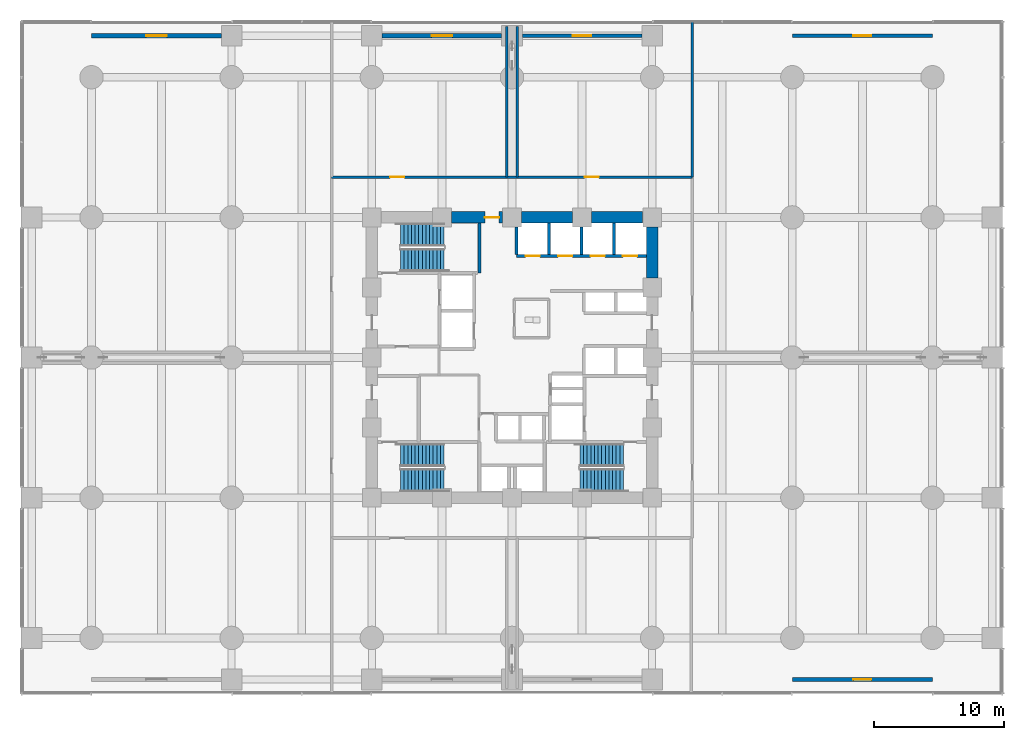
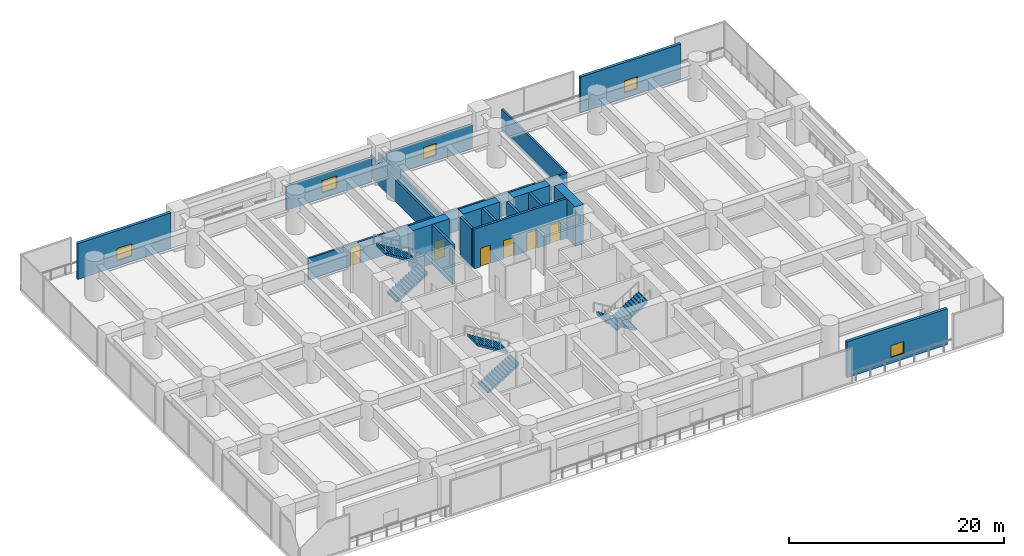
# One storey, part 31 of 37: 19 walls, 7 doors, 6 stair flights, 5 windows, 12 openings, 3 elements without a shape of their own.
"""IFC4 building model written with IfcOpenShell, lengths in metres."""

from ifc_helpers import new_model, si_unit, direction, frame, frame_2d, origin, place, context, subcontext, project, spatial, polyline, rectangle, outline, extrude, material, layer, layer_set, type_object, element, fill, aggregate, save


model = new_model("IFC4")

# Units and contexts
model_context = context("Model", 3, precision=1e-05, world=origin(), true_north=direction((0.0, 1.0)))
body_context = subcontext(model_context, "Body", "Model", "MODEL_VIEW")
ifc_project = project(units=[si_unit("LENGTHUNIT", "METRE"), si_unit("AREAUNIT", "SQUARE_METRE"), si_unit("VOLUMEUNIT", "CUBIC_METRE"), si_unit("PLANEANGLEUNIT", "RADIAN"), si_unit("MASSUNIT", "GRAM", prefix="KILO")], contexts=[model_context])

# Site, building, storey
site_placement = place(None, origin())
site = spatial("IfcSite", under=ifc_project, at=site_placement, CompositionType="ELEMENT")
building_placement = place(site_placement, origin())
building = spatial("IfcBuilding", under=site, at=building_placement, Name="Surkhivell Harbour Commons", CompositionType="ELEMENT")
storey_placement = place(building_placement, frame((0.0, 0.0, 18.0)))
storey = spatial("IfcBuildingStorey", under=building, at=storey_placement, Name="L04", CompositionType="ELEMENT", Elevation=18.0)

# Wall, opening, door
ifc_material_1 = material(Name="Concrete C80/95", Category="concrete")
ifc_layer_1 = layer(ifc_material_1, 0.89990234375)
ifc_layer_set_1 = layer_set([ifc_layer_1], Name="Concrete C80/95")
wall_type_1 = type_object("IfcWallType", Name="WAL-CORE-900", PredefinedType="SHEAR", material=ifc_layer_set_1)
wall_1_placement = place(storey_placement, frame((-4.6650390625, 10.800048828125, 0.0), z_axis=(0.0, 0.0, 1.0), x_axis=(1.0, 0.0, 0.0)))
wall_1 = element("IfcWall", 1, at=wall_1_placement, inside=storey, type_object=wall_type_1, Name="L04 Core Shear Wall North 2", PredefinedType="SHEAR", context=body_context, shape_type="SweptSolid", body=[
    extrude(rectangle(XDim=3.929931640625, YDim=0.89990234375, at=frame_2d((1.96484375, 0.0))), origin(), (0.0, 0.0, 1.0), 4.5),
])
opening_1_placement = place(wall_1_placement, frame((2.580078125, 0.0, 0.0)))
opening_1 = element("IfcOpeningElement", 2, at=opening_1_placement, cuts=wall_1, Name="Opening ID-2", PredefinedType="OPENING", context=body_context, shape_type="SweptSolid", body=[
    extrude(rectangle(XDim=1.10009765625, YDim=2.10009765625, at=frame_2d((0.550048828125, 1.050048828125))), frame((0.0, 0.4599609375, 0.0), z_axis=(0.0, -1.0, 0.0), x_axis=(1.0, 0.0, 0.0)), (0.0, 0.0, 1.0), 0.919921875),
])
ifc_material_2 = material(Name="Hardwood-veneered fire-rated door leaf", Category="wood")
door_type_1 = type_object("IfcDoorType", Name="DOR-FD60-1100", OperationType="NOTDEFINED", PredefinedType="DOOR", material=ifc_material_2)
door_1_placement = place(opening_1_placement, origin())
door_1 = element("IfcDoor", 3, at=door_1_placement, inside=storey, type_object=door_type_1, Name="L04 Central Core Lift Hall North Corridor Door", OperationType="SINGLE_SWING_LEFT", OverallHeight=2.10009765625, OverallWidth=1.10009765625, PredefinedType="DOOR", context=body_context, shape_type="SweptSolid", body=[
    extrude(rectangle(XDim=1.10009765625, YDim=2.10009765625, at=frame_2d((0.550048828125, 1.050048828125))), frame((0.0, 0.02490234375, 0.0), z_axis=(0.0, -1.0, 0.0), x_axis=(1.0, 0.0, 0.0)), (0.0, 0.0, 1.0), 0.050048828125),
])
fill(opening_1, door_1)

# Walls
for number, where, z_axis, x_axis, name in (
    (4, (0.735107421875, 10.800048828125, 0.0), (0.0, 0.0, 1.0), (1.0, 0.0, 0.0), "L04 Core Shear Wall North 3"),
    (5, (6.135009765625, 10.800048828125, 0.0), (0.0, 0.0, 1.0), (1.0, 0.0, 0.0), "L04 Core Shear Wall North 4"),
    (6, (10.800048828125, 6.135009765625, 0.0), (0.0, 0.0, 1.0), (0.0, 1.0, 0.0), "L04 Core Shear Wall East 4"),
):
    element("IfcWall", number, at=place(storey_placement, frame(where, z_axis=z_axis, x_axis=x_axis)), inside=storey, type_object=wall_type_1, Name=name, PredefinedType="SHEAR", context=body_context, shape_type="SweptSolid", body=[
        extrude(rectangle(XDim=3.929931640625, YDim=0.89990234375, at=frame_2d((1.96484375, 0.0))), origin(), (0.0, 0.0, 1.0), 4.5),
    ])

# Wall, opening, window
ifc_material_3 = material(Name="Flemish-bond kiln brick and precast concrete C45/55", Category="masonry")
ifc_layer_2 = layer(ifc_material_3, 0.300048828125)
ifc_layer_set_2 = layer_set([ifc_layer_2], Name="Flemish-bond kiln brick and precast concrete C45/55")
wall_type_2 = type_object("IfcWallType", Name="WAL-EXT-BRK300", PredefinedType="STANDARD", material=ifc_layer_set_2)
wall_2_placement = place(storey_placement, frame((0.798095703125, 24.800048828125, 0.0), z_axis=(0.0, 0.0, 1.0), x_axis=(1.0, 0.0, 0.0)))
wall_2 = element("IfcWall", 7, at=wall_2_placement, inside=storey, type_object=wall_type_2, Name="L04 Podium Brick Facade Wall N5", PredefinedType="STANDARD", context=body_context, shape_type="SweptSolid", body=[
    extrude(rectangle(XDim=9.203857421875, YDim=0.300048828125, at=frame_2d((4.60205078125, 0.0))), origin(), (0.0, 0.0, 1.0), 2.7099609375),
])
opening_2_placement = place(wall_2_placement, frame((3.902099609375, 0.0, 0.64990234375)))
opening_2 = element("IfcOpeningElement", 8, at=opening_2_placement, cuts=wall_2, Name="Opening WN-05", PredefinedType="OPENING", context=body_context, shape_type="SweptSolid", body=[
    extrude(rectangle(XDim=1.39990234375, YDim=1.35009765625, at=frame_2d((0.699951171875, 0.675048828125))), frame((0.0, 0.159912109375, 0.0), z_axis=(0.0, -1.0, 0.0), x_axis=(1.0, 0.0, 0.0)), (0.0, 0.0, 1.0), 0.320068359375),
])
ifc_material_4 = material(Name="Thermal-break aluminium frame and double low-E glazing", Category="aluminium")
window_type_1 = type_object("IfcWindowType", Name="WIN-POD-1400x1350", PartitioningType="SINGLE_PANEL", PredefinedType="WINDOW", material=ifc_material_4)
window_1_placement = place(opening_2_placement, origin())
window_1 = element("IfcWindow", 9, at=window_1_placement, inside=storey, type_object=window_type_1, Name="L04 Podium Punched Window N5", OverallHeight=1.35009765625, OverallWidth=1.39990234375, PartitioningType="SINGLE_PANEL", PredefinedType="WINDOW", context=body_context, shape_type="SweptSolid", body=[
    extrude(rectangle(XDim=1.39990234375, YDim=1.35009765625, at=frame_2d((0.699951171875, 0.675048828125))), frame((0.0, 0.030029296875, 0.0), z_axis=(0.0, -1.0, 0.0), x_axis=(1.0, 0.0, 0.0)), (0.0, 0.0, 1.0), 0.06005859375),
])
fill(opening_2, window_1)

wall_3_placement = place(storey_placement, frame((21.60009765625, 24.800048828125, 0.0), z_axis=(0.0, 0.0, 1.0), x_axis=(1.0, 0.0, 0.0)))
wall_3 = element("IfcWall", 10, at=wall_3_placement, inside=storey, type_object=wall_type_2, Name="L04 Podium Brick Facade Wall N7", PredefinedType="STANDARD", context=body_context, shape_type="SweptSolid", body=[
    extrude(rectangle(XDim=10.7998046875, YDim=0.300048828125, at=frame_2d((5.39990234375, 0.0))), origin(), (0.0, 0.0, 1.0), 4.080078125),
])
opening_3_placement = place(wall_3_placement, frame((4.699951171875, 0.0, 0.64990234375)))
opening_3 = element("IfcOpeningElement", 11, at=opening_3_placement, cuts=wall_3, Name="Opening WN-05", PredefinedType="OPENING", context=body_context, shape_type="SweptSolid", body=[
    extrude(rectangle(XDim=1.39990234375, YDim=1.35009765625, at=frame_2d((0.699951171875, 0.675048828125))), frame((0.0, 0.159912109375, 0.0), z_axis=(0.0, -1.0, 0.0), x_axis=(1.0, 0.0, 0.0)), (0.0, 0.0, 1.0), 0.320068359375),
])
window_2_placement = place(opening_3_placement, origin())
window_2 = element("IfcWindow", 12, at=window_2_placement, inside=storey, type_object=window_type_1, Name="L04 Podium Punched Window N7", OverallHeight=1.35009765625, OverallWidth=1.39990234375, PartitioningType="SINGLE_PANEL", PredefinedType="WINDOW", context=body_context, shape_type="SweptSolid", body=[
    extrude(rectangle(XDim=1.39990234375, YDim=1.35009765625, at=frame_2d((0.699951171875, 0.675048828125))), frame((0.0, 0.030029296875, 0.0), z_axis=(0.0, -1.0, 0.0), x_axis=(1.0, 0.0, 0.0)), (0.0, 0.0, 1.0), 0.06005859375),
])
fill(opening_3, window_2)

wall_4_placement = place(storey_placement, frame((32.39990234375, -24.800048828125, 0.0), z_axis=(0.0, 0.0, 1.0), x_axis=(-1.0, 0.0, 0.0)))
wall_4 = element("IfcWall", 13, at=wall_4_placement, inside=storey, type_object=wall_type_2, Name="L04 Podium Brick Facade Wall S7", PredefinedType="STANDARD", context=body_context, shape_type="SweptSolid", body=[
    extrude(rectangle(XDim=10.7998046875, YDim=0.300048828125, at=frame_2d((5.39990234375, 0.0))), origin(), (0.0, 0.0, 1.0), 4.080078125),
])
opening_4_placement = place(wall_4_placement, frame((4.699951171875, 0.0, 0.64990234375)))
opening_4 = element("IfcOpeningElement", 14, at=opening_4_placement, cuts=wall_4, Name="Opening WN-05", PredefinedType="OPENING", context=body_context, shape_type="SweptSolid", body=[
    extrude(rectangle(XDim=1.39990234375, YDim=1.35009765625, at=frame_2d((0.699951171875, 0.675048828125))), frame((0.0, 0.159912109375, 0.0), z_axis=(0.0, -1.0, 0.0), x_axis=(1.0, 0.0, 0.0)), (0.0, 0.0, 1.0), 0.320068359375),
])
window_3_placement = place(opening_4_placement, origin())
window_3 = element("IfcWindow", 15, at=window_3_placement, inside=storey, type_object=window_type_1, Name="L04 Podium Punched Window S7", OverallHeight=1.35009765625, OverallWidth=1.39990234375, PartitioningType="SINGLE_PANEL", PredefinedType="WINDOW", context=body_context, shape_type="SweptSolid", body=[
    extrude(rectangle(XDim=1.39990234375, YDim=1.35009765625, at=frame_2d((0.699951171875, 0.675048828125))), frame((0.0, 0.030029296875, 0.0), z_axis=(0.0, -1.0, 0.0), x_axis=(1.0, 0.0, 0.0)), (0.0, 0.0, 1.0), 0.06005859375),
])
fill(opening_4, window_3)

ifc_material_5 = material(Name="Kiln-fired surkhi brick and precast concrete C45/55", Category="masonry")
ifc_layer_3 = layer(ifc_material_5, 0.320068359375)
ifc_layer_set_3 = layer_set([ifc_layer_3], Name="Kiln-fired surkhi brick and precast concrete C45/55")
wall_type_3 = type_object("IfcWallType", Name="WAL-EXT-BRK320", PredefinedType="STANDARD", material=ifc_layer_set_3)
wall_5_placement = place(storey_placement, frame((-32.39990234375, 24.800048828125, 0.0), z_axis=(0.0, 0.0, 1.0), x_axis=(1.0, 0.0, 0.0)))
wall_5 = element("IfcWall", 16, at=wall_5_placement, inside=storey, type_object=wall_type_3, Name="L04 Podium Brick Facade Wall N2", PredefinedType="STANDARD", context=body_context, shape_type="SweptSolid", body=[
    extrude(rectangle(XDim=10.001953125, YDim=0.320068359375, at=frame_2d((5.0009765625, 0.0))), origin(), (0.0, 0.0, 1.0), 4.080078125),
])
opening_5_placement = place(wall_5_placement, frame((4.200927734375, 0.0, 0.64990234375)))
opening_5 = element("IfcOpeningElement", 17, at=opening_5_placement, cuts=wall_5, Name="Opening WN-04", PredefinedType="OPENING", context=body_context, shape_type="SweptSolid", body=[
    extrude(rectangle(XDim=1.60009765625, YDim=1.39990234375, at=frame_2d((0.800048828125, 0.699951171875))), frame((0.0, 0.169921875, 0.0), z_axis=(0.0, -1.0, 0.0), x_axis=(1.0, 0.0, 0.0)), (0.0, 0.0, 1.0), 0.340087890625),
])
window_type_2 = type_object("IfcWindowType", Name="WIN-POD-1600x1400", PartitioningType="DOUBLE_PANEL_HORIZONTAL", PredefinedType="WINDOW", material=ifc_material_4)
window_4_placement = place(opening_5_placement, origin())
window_4 = element("IfcWindow", 18, at=window_4_placement, inside=storey, type_object=window_type_2, Name="L04 Podium Punched Window N2", OverallHeight=1.39990234375, OverallWidth=1.60009765625, PartitioningType="SINGLE_PANEL", PredefinedType="WINDOW", context=body_context, shape_type="SweptSolid", body=[
    extrude(rectangle(XDim=1.60009765625, YDim=1.39990234375, at=frame_2d((0.800048828125, 0.699951171875))), frame((0.0, 0.030029296875, 0.0), z_axis=(0.0, -1.0, 0.0), x_axis=(1.0, 0.0, 0.0)), (0.0, 0.0, 1.0), 0.06005859375),
])
fill(opening_5, window_4)

wall_6_placement = place(storey_placement, frame((-10.001953125, 24.800048828125, 0.0), z_axis=(0.0, 0.0, 1.0), x_axis=(1.0, 0.0, 0.0)))
wall_6 = element("IfcWall", 19, at=wall_6_placement, inside=storey, type_object=wall_type_3, Name="L04 Podium Brick Facade Wall N4", PredefinedType="STANDARD", context=body_context, shape_type="SweptSolid", body=[
    extrude(rectangle(XDim=9.203857421875, YDim=0.320068359375, at=frame_2d((4.60205078125, 0.0))), origin(), (0.0, 0.0, 1.0), 2.7099609375),
])
opening_6_placement = place(wall_6_placement, frame((3.802001953125, 0.0, 0.64990234375)))
opening_6 = element("IfcOpeningElement", 20, at=opening_6_placement, cuts=wall_6, Name="Opening WN-04", PredefinedType="OPENING", context=body_context, shape_type="SweptSolid", body=[
    extrude(rectangle(XDim=1.60009765625, YDim=1.39990234375, at=frame_2d((0.800048828125, 0.699951171875))), frame((0.0, 0.169921875, 0.0), z_axis=(0.0, -1.0, 0.0), x_axis=(1.0, 0.0, 0.0)), (0.0, 0.0, 1.0), 0.340087890625),
])
window_5_placement = place(opening_6_placement, origin())
window_5 = element("IfcWindow", 21, at=window_5_placement, inside=storey, type_object=window_type_2, Name="L04 Podium Punched Window N4", OverallHeight=1.39990234375, OverallWidth=1.60009765625, PartitioningType="SINGLE_PANEL", PredefinedType="WINDOW", context=body_context, shape_type="SweptSolid", body=[
    extrude(rectangle(XDim=1.60009765625, YDim=1.39990234375, at=frame_2d((0.800048828125, 0.699951171875))), frame((0.0, 0.030029296875, 0.0), z_axis=(0.0, -1.0, 0.0), x_axis=(1.0, 0.0, 0.0)), (0.0, 0.0, 1.0), 0.06005859375),
])
fill(opening_6, window_5)

# Walls
ifc_material_6 = material(Name="Autoclaved aerated concrete blockwork and fire plaster", Category="masonry")
ifc_layer_4 = layer(ifc_material_6, 0.199951171875)
ifc_layer_set_4 = layer_set([ifc_layer_4], Name="Autoclaved aerated concrete blockwork and fire plaster")
wall_type_4 = type_object("IfcWallType", Name="WAL-INT-200", PredefinedType="PARTITIONING", material=ifc_layer_set_4)
for number, where, z_axis, x_axis, name in (
    (22, (0.419921875, 13.89990234375, 0.0), (0.0, 0.0, 1.0), (0.0, 1.0, 0.0), "L04 Transfer Truss North Casing Wall"),
    (23, (-0.419921875, 13.89990234375, 0.0), (0.0, 0.0, 1.0), (0.0, 1.0, 0.0), "L04 Transfer Truss North Casing Wall"),
):
    element("IfcWall", number, at=place(storey_placement, frame(where, z_axis=z_axis, x_axis=x_axis)), inside=storey, type_object=wall_type_4, Name=name, PredefinedType="PARTITIONING", context=body_context, shape_type="SweptSolid", body=[
        extrude(rectangle(XDim=11.60009765625, YDim=0.199951171875, at=frame_2d((5.800048828125, 0.0))), origin(), (0.0, 0.0, 1.0), 2.4599609375),
    ])

# Wall, openings, doors
wall_7_placement = place(storey_placement, frame((-13.89990234375, 13.89990234375, 0.0), z_axis=(0.0, 0.0, 1.0), x_axis=(1.0, 0.0, 0.0)))
wall_7 = element("IfcWall", 24, at=wall_7_placement, inside=storey, type_object=wall_type_4, Name="L04 Corridor North Wall", PredefinedType="PARTITIONING", context=body_context, shape_type="SweptSolid", body=[
    extrude(rectangle(XDim=27.7998046875, YDim=0.199951171875, at=frame_2d((13.89990234375, 0.0))), origin(), (0.0, 0.0, 1.0), 2.4599609375),
])
opening_7_placement = place(wall_7_placement, frame((4.5, 0.0, 0.0)))
opening_7 = element("IfcOpeningElement", 25, at=opening_7_placement, cuts=wall_7, Name="Opening ID-2", PredefinedType="OPENING", context=body_context, shape_type="SweptSolid", body=[
    extrude(rectangle(XDim=1.10009765625, YDim=2.10009765625, at=frame_2d((0.550048828125, 1.050048828125))), frame((0.0, 0.10986328125, 0.0), z_axis=(0.0, -1.0, 0.0), x_axis=(1.0, 0.0, 0.0)), (0.0, 0.0, 1.0), 0.219970703125),
])
opening_8_placement = place(wall_7_placement, frame((19.5, 0.0, 0.0)))
opening_8 = element("IfcOpeningElement", 26, at=opening_8_placement, cuts=wall_7, Name="Opening ID-2", PredefinedType="OPENING", context=body_context, shape_type="SweptSolid", body=[
    extrude(rectangle(XDim=1.10009765625, YDim=2.10009765625, at=frame_2d((0.550048828125, 1.050048828125))), frame((0.0, 0.10986328125, 0.0), z_axis=(0.0, -1.0, 0.0), x_axis=(1.0, 0.0, 0.0)), (0.0, 0.0, 1.0), 0.219970703125),
])
door_2_placement = place(opening_7_placement, origin())
door_2 = element("IfcDoor", 27, at=door_2_placement, inside=storey, type_object=door_type_1, Name="L04 North-West Transfer AHU Plant Room Door", OperationType="SINGLE_SWING_RIGHT", OverallHeight=2.10009765625, OverallWidth=1.10009765625, PredefinedType="DOOR", context=body_context, shape_type="SweptSolid", body=[
    extrude(rectangle(XDim=1.10009765625, YDim=2.10009765625, at=frame_2d((0.550048828125, 1.050048828125))), frame((0.0, 0.02490234375, 0.0), z_axis=(0.0, -1.0, 0.0), x_axis=(1.0, 0.0, 0.0)), (0.0, 0.0, 1.0), 0.050048828125),
])
fill(opening_7, door_2)
door_3_placement = place(opening_8_placement, origin())
door_3 = element("IfcDoor", 28, at=door_3_placement, inside=storey, type_object=door_type_1, Name="L04 North-East Chiller Heat-Exchange Plant Room Door", OperationType="SINGLE_SWING_LEFT", OverallHeight=2.10009765625, OverallWidth=1.10009765625, PredefinedType="DOOR", context=body_context, shape_type="SweptSolid", body=[
    extrude(rectangle(XDim=1.10009765625, YDim=2.10009765625, at=frame_2d((0.550048828125, 1.050048828125))), frame((0.0, 0.02490234375, 0.0), z_axis=(0.0, -1.0, 0.0), x_axis=(1.0, 0.0, 0.0)), (0.0, 0.0, 1.0), 0.050048828125),
])
fill(opening_8, door_3)

# Walls
wall_8_placement = place(storey_placement, frame((13.89990234375, 13.89990234375, 0.0), z_axis=(0.0, 0.0, 1.0), x_axis=(0.0, 1.0, 0.0)))
element("IfcWall", 29, at=wall_8_placement, inside=storey, type_object=wall_type_4, Name="L04 Corner NE Divider", PredefinedType="PARTITIONING", context=body_context, shape_type="SweptSolid", body=[
    extrude(rectangle(XDim=11.960205078125, YDim=0.199951171875, at=frame_2d((5.97998046875, 0.0))), origin(), (0.0, 0.0, 1.0), 2.4599609375),
])
ifc_material_7 = material(Name="Concrete C50/60", Category="concrete")
ifc_layer_5 = layer(ifc_material_7, 0.25)
ifc_layer_set_5 = layer_set([ifc_layer_5], Name="Concrete C50/60")
wall_type_5 = type_object("IfcWallType", Name="WAL-SHAFT-250", PredefinedType="SHEAR", material=ifc_layer_set_5)
wall_9_placement = place(storey_placement, frame((2.85009765625, 7.93994140625, 0.0), z_axis=(0.0, 0.0, 1.0), x_axis=(0.0, 1.0, 0.0)))
element("IfcWall", 30, at=wall_9_placement, inside=storey, type_object=wall_type_5, Name="L04 Low-Rise Hoistway Wall", PredefinedType="SHEAR", context=body_context, shape_type="SweptSolid", body=[
    extrude(rectangle(XDim=2.41015625, YDim=0.25, at=frame_2d((1.205078125, 0.0))), origin(), (0.0, 0.0, 1.0), 4.5),
])
for number, where, z_axis, x_axis, name in (
    (31, (0.35009765625, 7.93994140625, 0.0), (0.0, 0.0, 1.0), (0.0, 1.0, 0.0), "L04 Low-Rise Hoistway Wall"),
    (32, (5.35009765625, 7.93994140625, 0.0), (0.0, 0.0, 1.0), (0.0, 1.0, 0.0), "L04 Low-Rise Hoistway Wall"),
):
    element("IfcWall", number, at=place(storey_placement, frame(where, z_axis=z_axis, x_axis=x_axis)), inside=storey, type_object=wall_type_5, Name=name, PredefinedType="SHEAR", context=body_context, shape_type="SweptSolid", body=[
        extrude(rectangle(XDim=2.135009765625, YDim=0.25, at=frame_2d((1.0673828125, 0.0))), origin(), (0.0, 0.0, 1.0), 4.5),
    ])
wall_10_placement = place(storey_placement, frame((7.85009765625, 7.93994140625, 0.0), z_axis=(0.0, 0.0, 1.0), x_axis=(0.0, 1.0, 0.0)))
element("IfcWall", 33, at=wall_10_placement, inside=storey, type_object=wall_type_5, Name="L04 Low-Rise Hoistway Wall", PredefinedType="SHEAR", context=body_context, shape_type="SweptSolid", body=[
    extrude(rectangle(XDim=2.41015625, YDim=0.25, at=frame_2d((1.205078125, 0.0))), origin(), (0.0, 0.0, 1.0), 4.5),
])

# Wall, openings, doors
wall_11_placement = place(storey_placement, frame((0.35009765625, 7.820068359375, 0.0), z_axis=(0.0, 0.0, 1.0), x_axis=(1.0, 0.0, 0.0)))
wall_11 = element("IfcWall", 34, at=wall_11_placement, inside=storey, type_object=wall_type_5, Name="L04 Low-Rise Lift Front Shaft Wall", PredefinedType="SHEAR", context=body_context, shape_type="SweptSolid", body=[
    extrude(rectangle(XDim=10.0, YDim=0.25, at=frame_2d((5.0, 0.0))), origin(), (0.0, 0.0, 1.0), 4.5),
])
opening_9_placement = place(wall_11_placement, frame((0.699951171875, 0.0, 0.0)))
opening_9 = element("IfcOpeningElement", 35, at=opening_9_placement, cuts=wall_11, Name="Opening LD-1", PredefinedType="OPENING", context=body_context, shape_type="SweptSolid", body=[
    extrude(rectangle(XDim=1.10009765625, YDim=2.10009765625, at=frame_2d((0.550048828125, 1.050048828125))), frame((0.0, 0.135009765625, 0.0), z_axis=(0.0, -1.0, 0.0), x_axis=(1.0, 0.0, 0.0)), (0.0, 0.0, 1.0), 0.27001953125),
])
opening_10_placement = place(wall_11_placement, frame((3.199951171875, 0.0, 0.0)))
opening_10 = element("IfcOpeningElement", 36, at=opening_10_placement, cuts=wall_11, Name="Opening LD-1", PredefinedType="OPENING", context=body_context, shape_type="SweptSolid", body=[
    extrude(rectangle(XDim=1.10009765625, YDim=2.10009765625, at=frame_2d((0.550048828125, 1.050048828125))), frame((0.0, 0.135009765625, 0.0), z_axis=(0.0, -1.0, 0.0), x_axis=(1.0, 0.0, 0.0)), (0.0, 0.0, 1.0), 0.27001953125),
])
opening_11_placement = place(wall_11_placement, frame((5.699951171875, 0.0, 0.0)))
opening_11 = element("IfcOpeningElement", 37, at=opening_11_placement, cuts=wall_11, Name="Opening LD-1", PredefinedType="OPENING", context=body_context, shape_type="SweptSolid", body=[
    extrude(rectangle(XDim=1.10009765625, YDim=2.10009765625, at=frame_2d((0.550048828125, 1.050048828125))), frame((0.0, 0.135009765625, 0.0), z_axis=(0.0, -1.0, 0.0), x_axis=(1.0, 0.0, 0.0)), (0.0, 0.0, 1.0), 0.27001953125),
])
opening_12_placement = place(wall_11_placement, frame((8.199951171875, 0.0, 0.0)))
opening_12 = element("IfcOpeningElement", 38, at=opening_12_placement, cuts=wall_11, Name="Opening LD-1", PredefinedType="OPENING", context=body_context, shape_type="SweptSolid", body=[
    extrude(rectangle(XDim=1.10009765625, YDim=2.10009765625, at=frame_2d((0.550048828125, 1.050048828125))), frame((0.0, 0.135009765625, 0.0), z_axis=(0.0, -1.0, 0.0), x_axis=(1.0, 0.0, 0.0)), (0.0, 0.0, 1.0), 0.27001953125),
])
ifc_material_8 = material(Name="Brushed stainless steel S355", Category="steel")
door_type_2 = type_object("IfcDoorType", Name="DOR-LD-1100", OperationType="SLIDING_TO_LEFT", PredefinedType="DOOR", material=ifc_material_8)
door_4_placement = place(opening_9_placement, origin())
door_4 = element("IfcDoor", 39, at=door_4_placement, inside=storey, type_object=door_type_2, Name="L04 Lift Landing Door LD-PL1", OperationType="SLIDING_TO_LEFT", OverallHeight=2.10009765625, OverallWidth=1.10009765625, PredefinedType="DOOR", context=body_context, shape_type="SweptSolid", body=[
    extrude(rectangle(XDim=1.10009765625, YDim=2.10009765625, at=frame_2d((0.550048828125, 1.050048828125))), frame((0.0, 0.02490234375, 0.0), z_axis=(0.0, -1.0, 0.0), x_axis=(1.0, 0.0, 0.0)), (0.0, 0.0, 1.0), 0.050048828125),
])
fill(opening_9, door_4)
door_5_placement = place(opening_10_placement, origin())
door_5 = element("IfcDoor", 40, at=door_5_placement, inside=storey, type_object=door_type_2, Name="L04 Lift Landing Door LD-PL2", OperationType="SLIDING_TO_LEFT", OverallHeight=2.10009765625, OverallWidth=1.10009765625, PredefinedType="DOOR", context=body_context, shape_type="SweptSolid", body=[
    extrude(rectangle(XDim=1.10009765625, YDim=2.10009765625, at=frame_2d((0.550048828125, 1.050048828125))), frame((0.0, 0.02490234375, 0.0), z_axis=(0.0, -1.0, 0.0), x_axis=(1.0, 0.0, 0.0)), (0.0, 0.0, 1.0), 0.050048828125),
])
fill(opening_10, door_5)
door_6_placement = place(opening_11_placement, origin())
door_6 = element("IfcDoor", 41, at=door_6_placement, inside=storey, type_object=door_type_2, Name="L04 Lift Landing Door LD-PL3", OperationType="SLIDING_TO_LEFT", OverallHeight=2.10009765625, OverallWidth=1.10009765625, PredefinedType="DOOR", context=body_context, shape_type="SweptSolid", body=[
    extrude(rectangle(XDim=1.10009765625, YDim=2.10009765625, at=frame_2d((0.550048828125, 1.050048828125))), frame((0.0, 0.02490234375, 0.0), z_axis=(0.0, -1.0, 0.0), x_axis=(1.0, 0.0, 0.0)), (0.0, 0.0, 1.0), 0.050048828125),
])
fill(opening_11, door_6)
door_7_placement = place(opening_12_placement, origin())
door_7 = element("IfcDoor", 42, at=door_7_placement, inside=storey, type_object=door_type_2, Name="L04 Lift Landing Door LD-PL4", OperationType="SLIDING_TO_LEFT", OverallHeight=2.10009765625, OverallWidth=1.10009765625, PredefinedType="DOOR", context=body_context, shape_type="SweptSolid", body=[
    extrude(rectangle(XDim=1.10009765625, YDim=2.10009765625, at=frame_2d((0.550048828125, 1.050048828125))), frame((0.0, 0.02490234375, 0.0), z_axis=(0.0, -1.0, 0.0), x_axis=(1.0, 0.0, 0.0)), (0.0, 0.0, 1.0), 0.050048828125),
])
fill(opening_12, door_7)

# Wall
wall_12_placement = place(storey_placement, frame((-2.510009765625, 6.510009765625, 0.0), z_axis=(0.0, 0.0, 1.0), x_axis=(0.0, 1.0, 0.0)))
element("IfcWall", 43, at=wall_12_placement, inside=storey, type_object=wall_type_5, Name="L04 Stair ST1 East Shear Wall", PredefinedType="SHEAR", context=body_context, shape_type="SweptSolid", body=[
    extrude(rectangle(XDim=3.840087890625, YDim=0.25, at=frame_2d((1.919921875, 0.0))), origin(), (0.0, 0.0, 1.0), 4.5),
])

# Stair, stair flights
ifc_material_9 = material(Name="Precast concrete C45/55", Category="concrete")
stair_type = type_object("IfcStairType", Name="STR-DL-450", PredefinedType="HALF_TURN_STAIR", material=ifc_material_9)
stair_1_placement = place(storey_placement, origin())
stair_1 = element("IfcStair", 44, at=stair_1_placement, inside=storey, type_object=stair_type, Name="L04 Core Exit Stair ST1", PredefinedType="HALF_TURN_STAIR")
stair_flight_type = type_object("IfcStairFlightType", Name="STF-DL-450", PredefinedType="STRAIGHT", material=ifc_material_9)
stair_flight_1_placement = place(storey_placement, frame((-8.590087890625, 7.514892578125, 0.0), z_axis=(0.0, 0.0, 1.0), x_axis=(1.0, 0.0, 0.0)))
stair_flight_1 = element("IfcStairFlight", 45, at=stair_flight_1_placement, type_object=stair_flight_type, Name="ST1 flight 1", NumberOfRisers=13, NumberOfTreads=12, PredefinedType="STRAIGHT", RiserHeight=0.173076923, TreadLength=0.28, context=body_context, shape_type="SweptSolid", body=[
    extrude(outline(polyline([(-0.0029296875, -0.034912109375), (-0.0029296875, 0.0), (0.0, 0.0), (0.0, 0.173095703125), (0.280029296875, 0.173095703125), (0.280029296875, 0.34619140625), (0.56005859375, 0.34619140625), (0.56005859375, 0.519287109375), (0.840087890625, 0.519287109375), (0.840087890625, 0.6923828125), (1.1201171875, 0.6923828125), (1.1201171875, 0.865478515625), (1.39990234375, 0.865478515625), (1.39990234375, 1.03857421875), (1.679931640625, 1.03857421875), (1.679931640625, 1.21142578125), (1.9599609375, 1.21142578125), (1.9599609375, 1.384521484375), (2.239990234375, 1.384521484375), (2.239990234375, 1.5576171875), (2.52001953125, 1.5576171875), (2.52001953125, 1.730712890625), (2.800048828125, 1.730712890625), (2.800048828125, 1.90380859375), (3.080078125, 1.90380859375), (3.080078125, 2.076904296875), (3.360107421875, 2.076904296875), (3.360107421875, 2.25), (3.363037109375, 2.25), (3.363037109375, 1.900634765625), (0.28515625, -0.034912109375), (-0.0029296875, -0.034912109375)])), frame((0.0, 0.875, 0.0), z_axis=(0.0, -1.0, 0.0), x_axis=(1.0, 0.0, 0.0)), (0.0, 0.0, 1.0), 1.75),
])
stair_flight_2_placement = place(storey_placement, frame((-5.22998046875, 9.465087890625, 2.25), z_axis=(0.0, 0.0, 1.0), x_axis=(-1.0, 0.0, 0.0)))
stair_flight_2 = element("IfcStairFlight", 46, at=stair_flight_2_placement, type_object=stair_flight_type, Name="ST1 flight 2", NumberOfRisers=13, NumberOfTreads=12, PredefinedType="STRAIGHT", RiserHeight=0.173076923, TreadLength=0.28, context=body_context, shape_type="SweptSolid", body=[
    extrude(outline(polyline([(-0.0029296875, -0.034912109375), (-0.0029296875, 0.0), (0.0, 0.0), (0.0, 0.173095703125), (0.280029296875, 0.173095703125), (0.280029296875, 0.34619140625), (0.56005859375, 0.34619140625), (0.56005859375, 0.519287109375), (0.840087890625, 0.519287109375), (0.840087890625, 0.6923828125), (1.1201171875, 0.6923828125), (1.1201171875, 0.865478515625), (1.39990234375, 0.865478515625), (1.39990234375, 1.03857421875), (1.679931640625, 1.03857421875), (1.679931640625, 1.21142578125), (1.9599609375, 1.21142578125), (1.9599609375, 1.384521484375), (2.239990234375, 1.384521484375), (2.239990234375, 1.5576171875), (2.52001953125, 1.5576171875), (2.52001953125, 1.730712890625), (2.800048828125, 1.730712890625), (2.800048828125, 1.90380859375), (3.080078125, 1.90380859375), (3.080078125, 2.076904296875), (3.360107421875, 2.076904296875), (3.360107421875, 2.25), (3.363037109375, 2.25), (3.363037109375, 1.900634765625), (0.28515625, -0.034912109375), (-0.0029296875, -0.034912109375)])), frame((0.0, 0.875, 0.0), z_axis=(0.0, -1.0, 0.0), x_axis=(1.0, 0.0, 0.0)), (0.0, 0.0, 1.0), 1.75),
])
aggregate(stair_1, [stair_flight_1, stair_flight_2])

stair_2_placement = place(storey_placement, origin())
stair_2 = element("IfcStair", 47, at=stair_2_placement, inside=storey, type_object=stair_type, Name="L04 Core Exit Stair ST2", PredefinedType="HALF_TURN_STAIR")
stair_flight_3_placement = place(storey_placement, frame((8.590087890625, -7.514892578125, 0.0), z_axis=(0.0, 0.0, 1.0), x_axis=(-1.0, 0.0, 0.0)))
stair_flight_3 = element("IfcStairFlight", 48, at=stair_flight_3_placement, type_object=stair_flight_type, Name="ST2 flight 1", NumberOfRisers=13, NumberOfTreads=12, PredefinedType="STRAIGHT", RiserHeight=0.173076923, TreadLength=0.28, context=body_context, shape_type="SweptSolid", body=[
    extrude(outline(polyline([(-0.0029296875, -0.034912109375), (-0.0029296875, 0.0), (0.0, 0.0), (0.0, 0.173095703125), (0.280029296875, 0.173095703125), (0.280029296875, 0.34619140625), (0.56005859375, 0.34619140625), (0.56005859375, 0.519287109375), (0.840087890625, 0.519287109375), (0.840087890625, 0.6923828125), (1.1201171875, 0.6923828125), (1.1201171875, 0.865478515625), (1.39990234375, 0.865478515625), (1.39990234375, 1.03857421875), (1.679931640625, 1.03857421875), (1.679931640625, 1.21142578125), (1.9599609375, 1.21142578125), (1.9599609375, 1.384521484375), (2.239990234375, 1.384521484375), (2.239990234375, 1.5576171875), (2.52001953125, 1.5576171875), (2.52001953125, 1.730712890625), (2.800048828125, 1.730712890625), (2.800048828125, 1.90380859375), (3.080078125, 1.90380859375), (3.080078125, 2.076904296875), (3.360107421875, 2.076904296875), (3.360107421875, 2.25), (3.363037109375, 2.25), (3.363037109375, 1.900634765625), (0.28515625, -0.034912109375), (-0.0029296875, -0.034912109375)])), frame((0.0, 0.875, 0.0), z_axis=(0.0, -1.0, 0.0), x_axis=(1.0, 0.0, 0.0)), (0.0, 0.0, 1.0), 1.75),
])
stair_flight_4_placement = place(storey_placement, frame((5.22998046875, -9.465087890625, 2.25), z_axis=(0.0, 0.0, 1.0), x_axis=(1.0, 0.0, 0.0)))
stair_flight_4 = element("IfcStairFlight", 49, at=stair_flight_4_placement, type_object=stair_flight_type, Name="ST2 flight 2", NumberOfRisers=13, NumberOfTreads=12, PredefinedType="STRAIGHT", RiserHeight=0.173076923, TreadLength=0.28, context=body_context, shape_type="SweptSolid", body=[
    extrude(outline(polyline([(-0.0029296875, -0.034912109375), (-0.0029296875, 0.0), (0.0, 0.0), (0.0, 0.173095703125), (0.280029296875, 0.173095703125), (0.280029296875, 0.34619140625), (0.56005859375, 0.34619140625), (0.56005859375, 0.519287109375), (0.840087890625, 0.519287109375), (0.840087890625, 0.6923828125), (1.1201171875, 0.6923828125), (1.1201171875, 0.865478515625), (1.39990234375, 0.865478515625), (1.39990234375, 1.03857421875), (1.679931640625, 1.03857421875), (1.679931640625, 1.21142578125), (1.9599609375, 1.21142578125), (1.9599609375, 1.384521484375), (2.239990234375, 1.384521484375), (2.239990234375, 1.5576171875), (2.52001953125, 1.5576171875), (2.52001953125, 1.730712890625), (2.800048828125, 1.730712890625), (2.800048828125, 1.90380859375), (3.080078125, 1.90380859375), (3.080078125, 2.076904296875), (3.360107421875, 2.076904296875), (3.360107421875, 2.25), (3.363037109375, 2.25), (3.363037109375, 1.900634765625), (0.28515625, -0.034912109375), (-0.0029296875, -0.034912109375)])), frame((0.0, 0.875, 0.0), z_axis=(0.0, -1.0, 0.0), x_axis=(1.0, 0.0, 0.0)), (0.0, 0.0, 1.0), 1.75),
])
aggregate(stair_2, [stair_flight_3, stair_flight_4])

stair_3_placement = place(storey_placement, origin())
stair_3 = element("IfcStair", 50, at=stair_3_placement, inside=storey, type_object=stair_type, Name="L04 Core Exit Stair ST3", PredefinedType="HALF_TURN_STAIR")
stair_flight_5_placement = place(storey_placement, frame((-8.590087890625, -9.465087890625, 0.0), z_axis=(0.0, 0.0, 1.0), x_axis=(1.0, 0.0, 0.0)))
stair_flight_5 = element("IfcStairFlight", 51, at=stair_flight_5_placement, type_object=stair_flight_type, Name="ST3 flight 1", NumberOfRisers=13, NumberOfTreads=12, PredefinedType="STRAIGHT", RiserHeight=0.173076923, TreadLength=0.28, context=body_context, shape_type="SweptSolid", body=[
    extrude(outline(polyline([(-0.0029296875, -0.034912109375), (-0.0029296875, 0.0), (0.0, 0.0), (0.0, 0.173095703125), (0.280029296875, 0.173095703125), (0.280029296875, 0.34619140625), (0.56005859375, 0.34619140625), (0.56005859375, 0.519287109375), (0.840087890625, 0.519287109375), (0.840087890625, 0.6923828125), (1.1201171875, 0.6923828125), (1.1201171875, 0.865478515625), (1.39990234375, 0.865478515625), (1.39990234375, 1.03857421875), (1.679931640625, 1.03857421875), (1.679931640625, 1.21142578125), (1.9599609375, 1.21142578125), (1.9599609375, 1.384521484375), (2.239990234375, 1.384521484375), (2.239990234375, 1.5576171875), (2.52001953125, 1.5576171875), (2.52001953125, 1.730712890625), (2.800048828125, 1.730712890625), (2.800048828125, 1.90380859375), (3.080078125, 1.90380859375), (3.080078125, 2.076904296875), (3.360107421875, 2.076904296875), (3.360107421875, 2.25), (3.363037109375, 2.25), (3.363037109375, 1.900634765625), (0.28515625, -0.034912109375), (-0.0029296875, -0.034912109375)])), frame((0.0, 0.875, 0.0), z_axis=(0.0, -1.0, 0.0), x_axis=(1.0, 0.0, 0.0)), (0.0, 0.0, 1.0), 1.75),
])
stair_flight_6_placement = place(storey_placement, frame((-5.22998046875, -7.514892578125, 2.25), z_axis=(0.0, 0.0, 1.0), x_axis=(-1.0, 0.0, 0.0)))
stair_flight_6 = element("IfcStairFlight", 52, at=stair_flight_6_placement, type_object=stair_flight_type, Name="ST3 flight 2", NumberOfRisers=13, NumberOfTreads=12, PredefinedType="STRAIGHT", RiserHeight=0.173076923, TreadLength=0.28, context=body_context, shape_type="SweptSolid", body=[
    extrude(outline(polyline([(-0.0029296875, -0.034912109375), (-0.0029296875, 0.0), (0.0, 0.0), (0.0, 0.173095703125), (0.280029296875, 0.173095703125), (0.280029296875, 0.34619140625), (0.56005859375, 0.34619140625), (0.56005859375, 0.519287109375), (0.840087890625, 0.519287109375), (0.840087890625, 0.6923828125), (1.1201171875, 0.6923828125), (1.1201171875, 0.865478515625), (1.39990234375, 0.865478515625), (1.39990234375, 1.03857421875), (1.679931640625, 1.03857421875), (1.679931640625, 1.21142578125), (1.9599609375, 1.21142578125), (1.9599609375, 1.384521484375), (2.239990234375, 1.384521484375), (2.239990234375, 1.5576171875), (2.52001953125, 1.5576171875), (2.52001953125, 1.730712890625), (2.800048828125, 1.730712890625), (2.800048828125, 1.90380859375), (3.080078125, 1.90380859375), (3.080078125, 2.076904296875), (3.360107421875, 2.076904296875), (3.360107421875, 2.25), (3.363037109375, 2.25), (3.363037109375, 1.900634765625), (0.28515625, -0.034912109375), (-0.0029296875, -0.034912109375)])), frame((0.0, 0.875, 0.0), z_axis=(0.0, -1.0, 0.0), x_axis=(1.0, 0.0, 0.0)), (0.0, 0.0, 1.0), 1.75),
])
aggregate(stair_3, [stair_flight_5, stair_flight_6])

save(model, "model.ifc")
